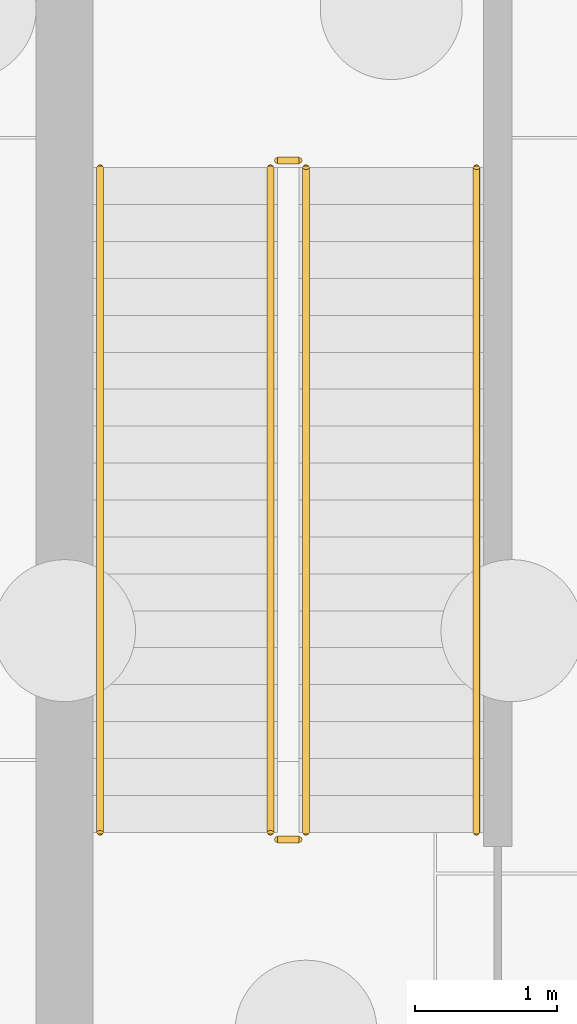
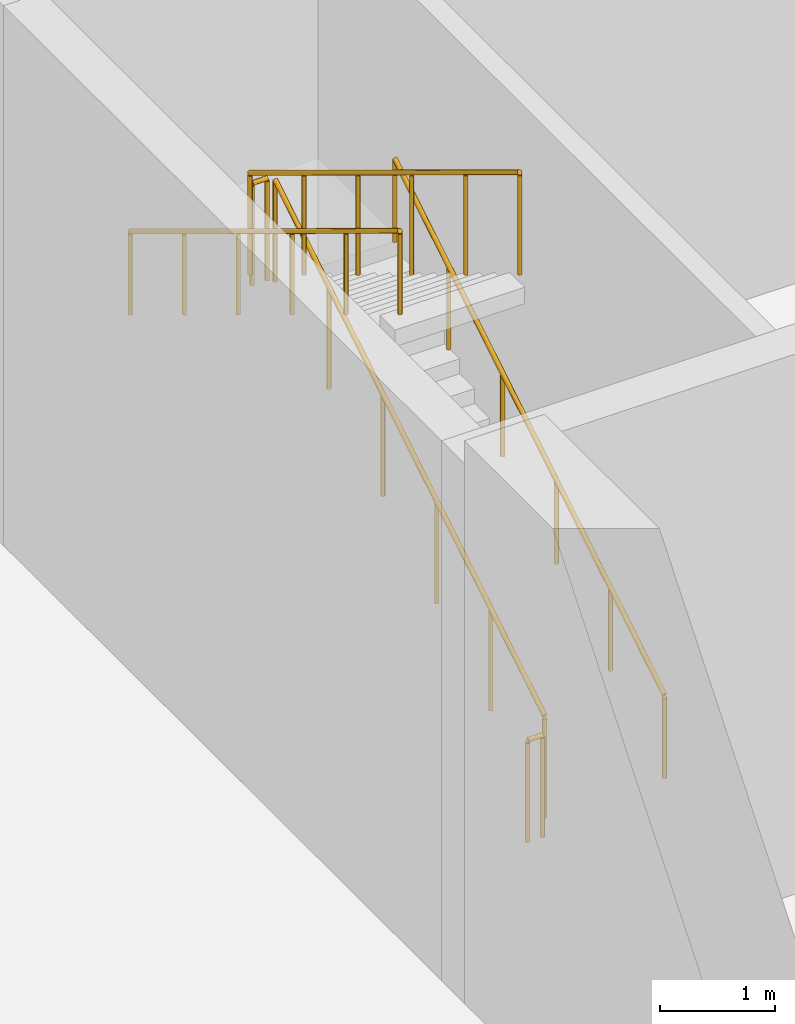
# One storey, part 104 of 108: 6 railings.
"""IFC4 building model written with IfcOpenShell, lengths in metres."""

from ifc_helpers import new_model, si_unit, direction, frame, origin, origin_2d, place, context, subcontext, project, spatial, circle, extrude, material, type_object, element, save


model = new_model("IFC4")

# Units and contexts
model_context = context("Model", 3, precision=1e-05, world=origin(), true_north=direction((0.0, 1.0)))
body_context = subcontext(model_context, "Body", "Model", "MODEL_VIEW")
ifc_project = project(units=[si_unit("LENGTHUNIT", "METRE"), si_unit("AREAUNIT", "SQUARE_METRE"), si_unit("VOLUMEUNIT", "CUBIC_METRE"), si_unit("PLANEANGLEUNIT", "RADIAN"), si_unit("MASSUNIT", "GRAM", prefix="KILO")], contexts=[model_context])

# Site, building, storey
site_placement = place(None, origin())
site = spatial("IfcSite", under=ifc_project, at=site_placement, CompositionType="ELEMENT")
building_placement = place(site_placement, origin())
building = spatial("IfcBuilding", under=site, at=building_placement, Name="Cresset Court Congress Hotel", CompositionType="ELEMENT")
storey_placement = place(building_placement, origin())
storey = spatial("IfcBuildingStorey", under=building, at=storey_placement, Name="L00", CompositionType="ELEMENT", Elevation=0.0)

# Railings
ifc_material_1 = material(Name="Stainless steel", Category="steel")
railing_type_1 = type_object("IfcRailingType", Name="Handrail 900", PredefinedType="HANDRAIL", material=ifc_material_1)
railing_1_placement = place(storey_placement, frame((129.10009765625, 102.699951171875, 0.157958984375)))
element("IfcRailing", 1, at=railing_1_placement, inside=storey, type_object=railing_type_1, Name="L00 ST-E1 stair handrail 1", PredefinedType="HANDRAIL", context=body_context, shape_type="SweptSolid", body=[
    extrude(circle(Radius=0.02392578125, at=origin_2d()), frame((0.0, 0.0, 0.8759765625), z_axis=(0.0, 0.854734527071, 0.519065398802), x_axis=(-1.0, 0.0, 0.0)), (0.0, 0.0, 1.0), 5.475341796875),
    extrude(circle(Radius=0.02099609375, at=origin_2d()), origin(), (0.0, 0.0, 1.0), 0.851806640625),
    extrude(circle(Radius=0.02099609375, at=origin_2d()), frame((0.0, 0.93603515625, 0.568359375)), (0.0, 0.0, 1.0), 0.851806640625),
    extrude(circle(Radius=0.02099609375, at=origin_2d()), frame((0.0, 1.8720703125, 1.13671875)), (0.0, 0.0, 1.0), 0.851806640625),
    extrude(circle(Radius=0.02099609375, at=origin_2d()), frame((0.0, 2.807861328125, 1.705322265625)), (0.0, 0.0, 1.0), 0.851806640625),
    extrude(circle(Radius=0.02099609375, at=origin_2d()), frame((0.0, 3.743896484375, 2.273681640625)), (0.0, 0.0, 1.0), 0.851806640625),
    extrude(circle(Radius=0.02099609375, at=origin_2d()), frame((0.0, 4.679931640625, 2.842041015625)), (0.0, 0.0, 1.0), 0.851806640625),
])
railing_2_placement = place(storey_placement, frame((126.449951171875, 107.3798828125, 3.157958984375)))
element("IfcRailing", 2, at=railing_2_placement, inside=storey, type_object=railing_type_1, Name="L00 ST-E1 stair handrail 2", PredefinedType="HANDRAIL", context=body_context, shape_type="SweptSolid", body=[
    extrude(circle(Radius=0.02392578125, at=origin_2d()), frame((0.0, 0.0, 0.8759765625), z_axis=(0.0, -0.854734527071, 0.519065398802), x_axis=(1.0, 0.0, 0.0)), (0.0, 0.0, 1.0), 5.475341796875),
    extrude(circle(Radius=0.02099609375, at=origin_2d()), origin(), (0.0, 0.0, 1.0), 0.851806640625),
    extrude(circle(Radius=0.02099609375, at=origin_2d()), frame((0.0, -0.93603515625, 0.568359375)), (0.0, 0.0, 1.0), 0.851806640625),
    extrude(circle(Radius=0.02099609375, at=origin_2d()), frame((0.0, -1.8720703125, 1.13671875)), (0.0, 0.0, 1.0), 0.851806640625),
    extrude(circle(Radius=0.02099609375, at=origin_2d()), frame((0.0, -2.807861328125, 1.705322265625)), (0.0, 0.0, 1.0), 0.851806640625),
    extrude(circle(Radius=0.02099609375, at=origin_2d()), frame((0.0, -3.743896484375, 2.273681640625)), (0.0, 0.0, 1.0), 0.851806640625),
    extrude(circle(Radius=0.02099609375, at=origin_2d()), frame((0.0, -4.679931640625, 2.842041015625)), (0.0, 0.0, 1.0), 0.851806640625),
])
ifc_material_2 = material(Name="Stainless steel", Category="steel")
railing_type_2 = type_object("IfcRailingType", Name="Stair guard 1100 internal", PredefinedType="GUARDRAIL", material=ifc_material_2)
railing_3_placement = place(storey_placement, frame((127.89990234375, 102.699951171875, 0.157958984375)))
element("IfcRailing", 3, at=railing_3_placement, inside=storey, type_object=railing_type_2, Name="L00 ST-E1 stair guard 1", PredefinedType="GUARDRAIL", context=body_context, shape_type="SweptSolid", body=[
    extrude(circle(Radius=0.02392578125, at=origin_2d()), frame((0.0, 0.0, 1.076171875), z_axis=(0.0, 0.854734527071, 0.519065398802), x_axis=(-1.0, 0.0, 0.0)), (0.0, 0.0, 1.0), 5.475341796875),
    extrude(circle(Radius=0.02099609375, at=origin_2d()), origin(), (0.0, 0.0, 1.0), 1.052001953125),
    extrude(circle(Radius=0.02099609375, at=origin_2d()), frame((0.0, 0.93603515625, 0.568359375)), (0.0, 0.0, 1.0), 1.052001953125),
    extrude(circle(Radius=0.02099609375, at=origin_2d()), frame((0.0, 1.8720703125, 1.13671875)), (0.0, 0.0, 1.0), 1.052001953125),
    extrude(circle(Radius=0.02099609375, at=origin_2d()), frame((0.0, 2.807861328125, 1.705322265625)), (0.0, 0.0, 1.0), 1.052001953125),
    extrude(circle(Radius=0.02099609375, at=origin_2d()), frame((0.0, 3.743896484375, 2.273681640625)), (0.0, 0.0, 1.0), 1.052001953125),
    extrude(circle(Radius=0.02099609375, at=origin_2d()), frame((0.0, 4.679931640625, 2.842041015625)), (0.0, 0.0, 1.0), 1.052001953125),
])
railing_4_placement = place(storey_placement, frame((127.85009765625, 107.429931640625, 3.0)))
element("IfcRailing", 4, at=railing_4_placement, inside=storey, type_object=railing_type_2, Name="L00 ST-E1 stair guard 2", PredefinedType="GUARDRAIL", context=body_context, shape_type="SweptSolid", body=[
    extrude(circle(Radius=0.02392578125, at=origin_2d()), frame((0.0, 0.0, 1.076171875), z_axis=(-1.0, 0.0, 0.0), x_axis=(0.0, -1.0, 0.0)), (0.0, 0.0, 1.0), 0.150146484375),
    extrude(circle(Radius=0.02099609375, at=origin_2d()), origin(), (0.0, 0.0, 1.0), 1.052001953125),
    extrude(circle(Radius=0.02099609375, at=origin_2d()), frame((-0.150146484375, 0.0, 0.0)), (0.0, 0.0, 1.0), 1.052001953125),
])
railing_5_placement = place(storey_placement, frame((127.64990234375, 107.3798828125, 3.157958984375)))
element("IfcRailing", 5, at=railing_5_placement, inside=storey, type_object=railing_type_2, Name="L00 ST-E1 stair guard 3", PredefinedType="GUARDRAIL", context=body_context, shape_type="SweptSolid", body=[
    extrude(circle(Radius=0.02392578125, at=origin_2d()), frame((0.0, 0.0, 1.076171875), z_axis=(0.0, -0.854734527071, 0.519065398802), x_axis=(1.0, 0.0, 0.0)), (0.0, 0.0, 1.0), 5.475341796875),
    extrude(circle(Radius=0.02099609375, at=origin_2d()), origin(), (0.0, 0.0, 1.0), 1.052001953125),
    extrude(circle(Radius=0.02099609375, at=origin_2d()), frame((0.0, -0.93603515625, 0.568359375)), (0.0, 0.0, 1.0), 1.052001953125),
    extrude(circle(Radius=0.02099609375, at=origin_2d()), frame((0.0, -1.8720703125, 1.13671875)), (0.0, 0.0, 1.0), 1.052001953125),
    extrude(circle(Radius=0.02099609375, at=origin_2d()), frame((0.0, -2.807861328125, 1.705322265625)), (0.0, 0.0, 1.0), 1.052001953125),
    extrude(circle(Radius=0.02099609375, at=origin_2d()), frame((0.0, -3.743896484375, 2.273681640625)), (0.0, 0.0, 1.0), 1.052001953125),
    extrude(circle(Radius=0.02099609375, at=origin_2d()), frame((0.0, -4.679931640625, 2.842041015625)), (0.0, 0.0, 1.0), 1.052001953125),
])
railing_6_placement = place(storey_placement, frame((127.85009765625, 102.64990234375, 0.0)))
element("IfcRailing", 6, at=railing_6_placement, inside=storey, type_object=railing_type_2, Name="L00 ST-E1 stair guard 4", PredefinedType="GUARDRAIL", context=body_context, shape_type="SweptSolid", body=[
    extrude(circle(Radius=0.02392578125, at=origin_2d()), frame((0.0, 0.0, 1.076171875), z_axis=(-1.0, 0.0, 0.0), x_axis=(0.0, -1.0, 0.0)), (0.0, 0.0, 1.0), 0.150146484375),
    extrude(circle(Radius=0.02099609375, at=origin_2d()), origin(), (0.0, 0.0, 1.0), 1.052001953125),
    extrude(circle(Radius=0.02099609375, at=origin_2d()), frame((-0.150146484375, 0.0, 0.0)), (0.0, 0.0, 1.0), 1.052001953125),
])

save(model, "model.ifc")
